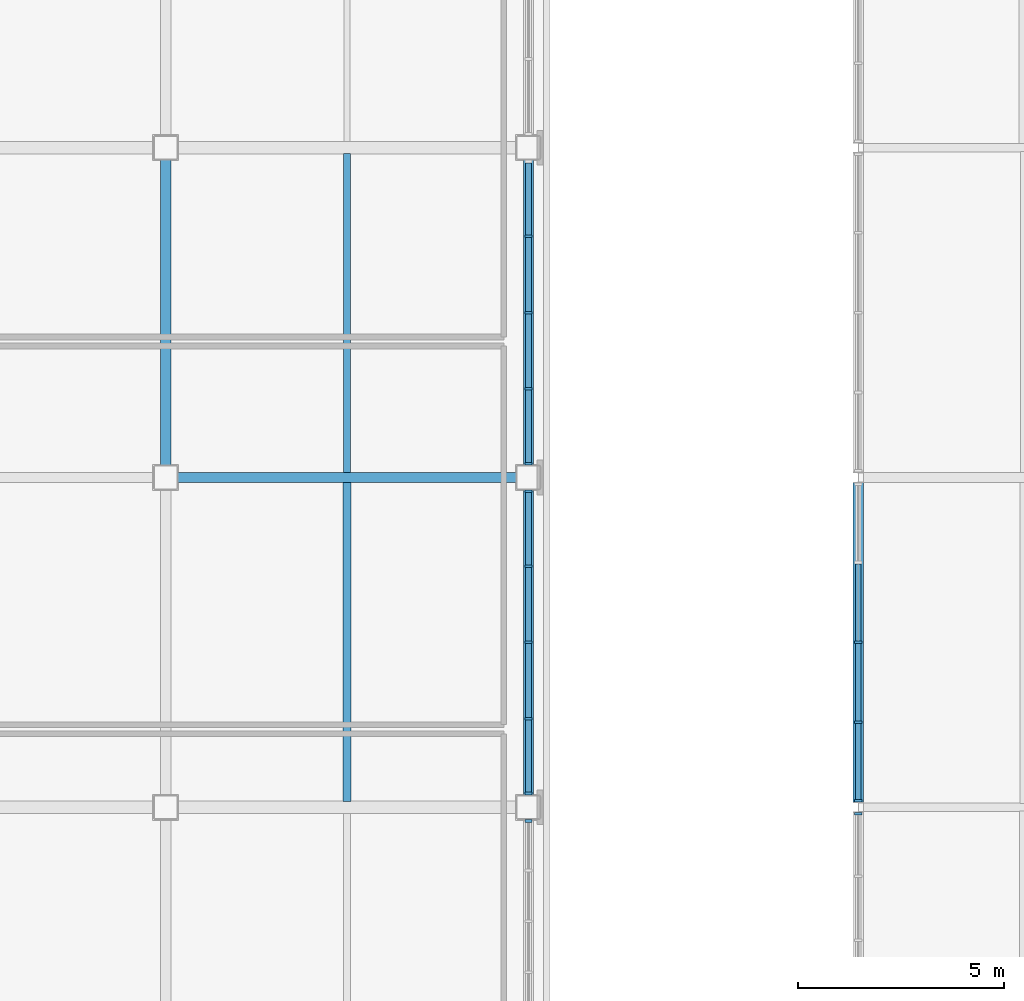
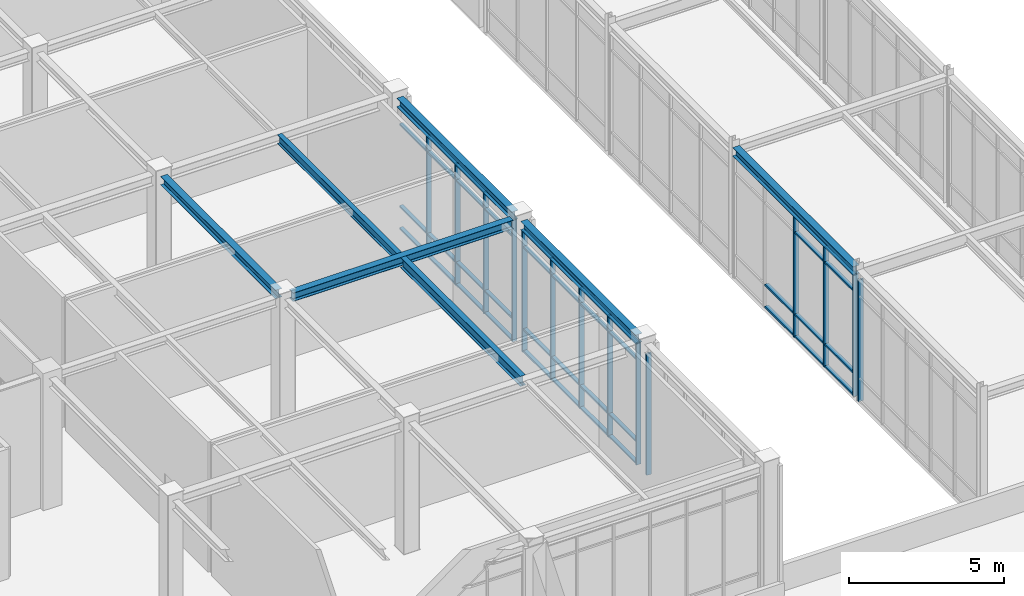
# One storey, part 30 of 108: 56 members, 7 beams, 5 elements without a shape of their own.
"""IFC4 building model written with IfcOpenShell, lengths in metres."""

from ifc_helpers import new_model, si_unit, direction, frame, origin, origin_2d, place, context, subcontext, project, spatial, rectangle, i_section, extrude, material, material_profile, profile_set, type_object, element, aggregate, save


model = new_model("IFC4")

# Units and contexts
model_context = context("Model", 3, precision=1e-05, world=origin(), true_north=direction((0.0, 1.0)))
body_context = subcontext(model_context, "Body", "Model", "MODEL_VIEW")
ifc_project = project(units=[si_unit("LENGTHUNIT", "METRE"), si_unit("AREAUNIT", "SQUARE_METRE"), si_unit("VOLUMEUNIT", "CUBIC_METRE"), si_unit("PLANEANGLEUNIT", "RADIAN"), si_unit("MASSUNIT", "GRAM", prefix="KILO")], contexts=[model_context])

# Site, building, storey
site_placement = place(None, origin())
site = spatial("IfcSite", under=ifc_project, at=site_placement, CompositionType="ELEMENT")
building_placement = place(site_placement, origin())
building = spatial("IfcBuilding", under=site, at=building_placement, Name="Zhaolan Boulevard Law Courts", CompositionType="ELEMENT")
storey_placement = place(building_placement, frame((0.0, 0.0, 10.800048828125)))
storey = spatial("IfcBuildingStorey", under=building, at=storey_placement, Name="L02", CompositionType="ELEMENT", Elevation=10.800048828125)

# Curtain wall, member
ifc_material_1 = material(Name="Thermally broken aluminium and low-E glazing", Category="aluminium")
curtain_wall_type_1 = type_object("IfcCurtainWallType", Name="CURTAIN WALL M20", PredefinedType="USERDEFINED", material=ifc_material_1)
curtain_wall_1_placement = place(storey_placement, origin())
curtain_wall_1 = element("IfcCurtainWall", 1, at=curtain_wall_1_placement, inside=storey, type_object=curtain_wall_type_1, Name="Curtain Wall CW-L02-092", ObjectType="CURTAIN WALL", PredefinedType="USERDEFINED")
ifc_material_2 = material(Name="Fluorocarbon-coated aluminium 6063-T6", Category="aluminium")
ifc_material_profile_1 = material_profile(ifc_material_2, rectangle(XDim=0.179931640625, YDim=0.06494140625, at=origin_2d()), Name="AL65x180")
ifc_profile_set_1 = profile_set([ifc_material_profile_1], Name="Fluorocarbon-coated aluminium 6063-T6")
member_type_1 = type_object("IfcMemberType", Name="CWMULLION 65X180", PredefinedType="MULLION", material=ifc_profile_set_1)
member_1_placement = place(storey_placement, frame((52.0, 37.840576171875, 0.0), z_axis=(0.0, 0.0, 1.0), x_axis=(1.0, 0.0, 0.0)))
member_1 = element("IfcMember", 2, at=member_1_placement, type_object=member_type_1, Name="CW-L02-092 mullion 1", PredefinedType="MULLION", context=body_context, shape_type="SweptSolid", body=[
    extrude(rectangle(XDim=0.179931640625, YDim=0.06494140625, at=origin_2d()), origin(), (0.0, 0.0, 1.0), 4.782958984375),
])
aggregate(curtain_wall_1, [member_1])

# Curtain wall, members
ifc_material_3 = material(Name="Thermally broken aluminium and low-E glazing", Category="aluminium")
curtain_wall_type_2 = type_object("IfcCurtainWallType", Name="CURTAIN WALL M21", PredefinedType="USERDEFINED", material=ifc_material_3)
curtain_wall_2_placement = place(storey_placement, origin())
curtain_wall_2 = element("IfcCurtainWall", 3, at=curtain_wall_2_placement, inside=storey, type_object=curtain_wall_type_2, Name="Curtain Wall CW-L02-093", ObjectType="CURTAIN WALL", PredefinedType="USERDEFINED")
member_2_placement = place(storey_placement, frame((52.0, 42.0, 0.0), z_axis=(0.0, 0.0, 1.0), x_axis=(1.0, 0.0, 0.0)))
member_2 = element("IfcMember", 4, at=member_2_placement, type_object=member_type_1, Name="CW-L02-093 mullion 3", PredefinedType="MULLION", context=body_context, shape_type="SweptSolid", body=[
    extrude(rectangle(XDim=0.179931640625, YDim=0.06494140625, at=origin_2d()), origin(), (0.0, 0.0, 1.0), 4.782958984375),
])
member_3_placement = place(storey_placement, frame((52.0, 40.0634765625, 0.0), z_axis=(0.0, 0.0, 1.0), x_axis=(1.0, 0.0, 0.0)))
member_3 = element("IfcMember", 5, at=member_3_placement, type_object=member_type_1, Name="CW-L02-093 mullion 4", PredefinedType="MULLION", context=body_context, shape_type="SweptSolid", body=[
    extrude(rectangle(XDim=0.179931640625, YDim=0.06494140625, at=origin_2d()), origin(), (0.0, 0.0, 1.0), 4.782958984375),
])
member_4_placement = place(storey_placement, frame((52.0, 38.159423828125, 0.0), z_axis=(0.0, 0.0, 1.0), x_axis=(1.0, 0.0, 0.0)))
member_4 = element("IfcMember", 6, at=member_4_placement, type_object=member_type_1, Name="CW-L02-093 mullion 5", PredefinedType="MULLION", context=body_context, shape_type="SweptSolid", body=[
    extrude(rectangle(XDim=0.179931640625, YDim=0.06494140625, at=origin_2d()), origin(), (0.0, 0.0, 1.0), 4.782958984375),
])

# Curtain wall, member
ifc_material_4 = material(Name="Thermally broken aluminium and low-E glazing", Category="aluminium")
curtain_wall_type_3 = type_object("IfcCurtainWallType", Name="CURTAIN WALL M18", PredefinedType="USERDEFINED", material=ifc_material_4)
curtain_wall_3_placement = place(storey_placement, origin())
curtain_wall_3 = element("IfcCurtainWall", 7, at=curtain_wall_3_placement, inside=storey, type_object=curtain_wall_type_3, Name="Curtain Wall CW-L02-162", ObjectType="CURTAIN WALL", PredefinedType="USERDEFINED")
member_5_placement = place(storey_placement, frame((44.0, 37.66552734375, 0.0), z_axis=(0.0, 0.0, 1.0), x_axis=(-1.0, 0.0, 0.0)))
member_5 = element("IfcMember", 8, at=member_5_placement, type_object=member_type_1, Name="CW-L02-162 mullion 7", PredefinedType="MULLION", context=body_context, shape_type="SweptSolid", body=[
    extrude(rectangle(XDim=0.179931640625, YDim=0.06494140625, at=origin_2d()), origin(), (0.0, 0.0, 1.0), 4.782958984375),
])
aggregate(curtain_wall_3, [member_5])

# Curtain wall, members
ifc_material_5 = material(Name="Thermally broken aluminium and low-E glazing", Category="aluminium")
curtain_wall_type_4 = type_object("IfcCurtainWallType", Name="CURTAIN WALL M19", PredefinedType="USERDEFINED", material=ifc_material_5)
curtain_wall_4_placement = place(storey_placement, origin())
curtain_wall_4 = element("IfcCurtainWall", 9, at=curtain_wall_4_placement, inside=storey, type_object=curtain_wall_type_4, Name="Curtain Wall CW-L02-163", ObjectType="CURTAIN WALL", PredefinedType="USERDEFINED")
member_6_placement = place(storey_placement, frame((44.0, 38.33447265625, 0.0), z_axis=(0.0, 0.0, 1.0), x_axis=(-1.0, 0.0, 0.0)))
member_6 = element("IfcMember", 10, at=member_6_placement, type_object=member_type_1, Name="CW-L02-163 mullion 1", PredefinedType="MULLION", context=body_context, shape_type="SweptSolid", body=[
    extrude(rectangle(XDim=0.179931640625, YDim=0.06494140625, at=origin_2d()), origin(), (0.0, 0.0, 1.0), 4.782958984375),
])
member_7_placement = place(storey_placement, frame((44.0, 40.15087890625, 0.0), z_axis=(0.0, 0.0, 1.0), x_axis=(-1.0, 0.0, 0.0)))
member_7 = element("IfcMember", 11, at=member_7_placement, type_object=member_type_1, Name="CW-L02-163 mullion 2", PredefinedType="MULLION", context=body_context, shape_type="SweptSolid", body=[
    extrude(rectangle(XDim=0.179931640625, YDim=0.06494140625, at=origin_2d()), origin(), (0.0, 0.0, 1.0), 4.782958984375),
])
member_8_placement = place(storey_placement, frame((44.0, 42.0, 0.0), z_axis=(0.0, 0.0, 1.0), x_axis=(-1.0, 0.0, 0.0)))
member_8 = element("IfcMember", 12, at=member_8_placement, type_object=member_type_1, Name="CW-L02-163 mullion 3", PredefinedType="MULLION", context=body_context, shape_type="SweptSolid", body=[
    extrude(rectangle(XDim=0.179931640625, YDim=0.06494140625, at=origin_2d()), origin(), (0.0, 0.0, 1.0), 4.782958984375),
])
member_9_placement = place(storey_placement, frame((44.0, 43.84912109375, 0.0), z_axis=(0.0, 0.0, 1.0), x_axis=(-1.0, 0.0, 0.0)))
member_9 = element("IfcMember", 13, at=member_9_placement, type_object=member_type_1, Name="CW-L02-163 mullion 4", PredefinedType="MULLION", context=body_context, shape_type="SweptSolid", body=[
    extrude(rectangle(XDim=0.179931640625, YDim=0.06494140625, at=origin_2d()), origin(), (0.0, 0.0, 1.0), 4.782958984375),
])
member_10_placement = place(storey_placement, frame((44.0, 45.66552734375, 0.0), z_axis=(0.0, 0.0, 1.0), x_axis=(-1.0, 0.0, 0.0)))
member_10 = element("IfcMember", 14, at=member_10_placement, type_object=member_type_1, Name="CW-L02-163 mullion 5", PredefinedType="MULLION", context=body_context, shape_type="SweptSolid", body=[
    extrude(rectangle(XDim=0.179931640625, YDim=0.06494140625, at=origin_2d()), origin(), (0.0, 0.0, 1.0), 4.782958984375),
])

curtain_wall_5_placement = place(storey_placement, origin())
curtain_wall_5 = element("IfcCurtainWall", 15, at=curtain_wall_5_placement, inside=storey, type_object=curtain_wall_type_1, Name="Curtain Wall CW-L02-164", ObjectType="CURTAIN WALL", PredefinedType="USERDEFINED")
member_11_placement = place(storey_placement, frame((44.0, 46.33447265625, 0.0), z_axis=(0.0, 0.0, 1.0), x_axis=(-1.0, 0.0, 0.0)))
member_11 = element("IfcMember", 16, at=member_11_placement, type_object=member_type_1, Name="CW-L02-164 mullion 1", PredefinedType="MULLION", context=body_context, shape_type="SweptSolid", body=[
    extrude(rectangle(XDim=0.179931640625, YDim=0.06494140625, at=origin_2d()), origin(), (0.0, 0.0, 1.0), 4.782958984375),
])
member_12_placement = place(storey_placement, frame((44.0, 48.15087890625, 0.0), z_axis=(0.0, 0.0, 1.0), x_axis=(-1.0, 0.0, 0.0)))
member_12 = element("IfcMember", 17, at=member_12_placement, type_object=member_type_1, Name="CW-L02-164 mullion 2", PredefinedType="MULLION", context=body_context, shape_type="SweptSolid", body=[
    extrude(rectangle(XDim=0.179931640625, YDim=0.06494140625, at=origin_2d()), origin(), (0.0, 0.0, 1.0), 4.782958984375),
])
member_13_placement = place(storey_placement, frame((44.0, 50.0, 0.0), z_axis=(0.0, 0.0, 1.0), x_axis=(-1.0, 0.0, 0.0)))
member_13 = element("IfcMember", 18, at=member_13_placement, type_object=member_type_1, Name="CW-L02-164 mullion 3", PredefinedType="MULLION", context=body_context, shape_type="SweptSolid", body=[
    extrude(rectangle(XDim=0.179931640625, YDim=0.06494140625, at=origin_2d()), origin(), (0.0, 0.0, 1.0), 4.782958984375),
])
member_14_placement = place(storey_placement, frame((44.0, 51.84912109375, 0.0), z_axis=(0.0, 0.0, 1.0), x_axis=(-1.0, 0.0, 0.0)))
member_14 = element("IfcMember", 19, at=member_14_placement, type_object=member_type_1, Name="CW-L02-164 mullion 4", PredefinedType="MULLION", context=body_context, shape_type="SweptSolid", body=[
    extrude(rectangle(XDim=0.179931640625, YDim=0.06494140625, at=origin_2d()), origin(), (0.0, 0.0, 1.0), 4.782958984375),
])

# Member
ifc_material_6 = material(Name="Fluorocarbon-coated aluminium 6063-T6", Category="aluminium")
ifc_material_profile_2 = material_profile(ifc_material_6, rectangle(XDim=0.139892578125, YDim=0.06494140625, at=origin_2d()), Name="AL65x140")
ifc_profile_set_2 = profile_set([ifc_material_profile_2], Name="Fluorocarbon-coated aluminium 6063-T6")
member_type_2 = type_object("IfcMemberType", Name="CWTRANSOM 65X140", PredefinedType="USERDEFINED", material=ifc_profile_set_2)
member_15_placement = place(storey_placement, frame((52.0, 43.904052734375, 0.032470703125), z_axis=(0.0, -1.0, 0.0), x_axis=(1.0, 0.0, 0.0)))
member_15 = element("IfcMember", 20, at=member_15_placement, type_object=member_type_2, Name="CW-L02-093 transom 2.1", ObjectType="TRANSOM", PredefinedType="USERDEFINED", context=body_context, shape_type="SweptSolid", body=[
    extrude(rectangle(XDim=0.139892578125, YDim=0.06494140625, at=origin_2d()), origin(), (0.0, 0.0, 1.0), 1.87158203125),
])

member_16_placement = place(storey_placement, frame((52.0, 43.904052734375, 0.89990234375), z_axis=(0.0, -1.0, 0.0), x_axis=(1.0, 0.0, 0.0)))
member_16 = element("IfcMember", 21, at=member_16_placement, type_object=member_type_2, Name="CW-L02-093 transom 2.2", ObjectType="TRANSOM", PredefinedType="USERDEFINED", context=body_context, shape_type="SweptSolid", body=[
    extrude(rectangle(XDim=0.139892578125, YDim=0.06494140625, at=origin_2d()), origin(), (0.0, 0.0, 1.0), 1.87158203125),
])

member_17_placement = place(storey_placement, frame((52.0, 41.967529296875, 0.032470703125), z_axis=(0.0, -1.0, 0.0), x_axis=(1.0, 0.0, 0.0)))
member_17 = element("IfcMember", 22, at=member_17_placement, type_object=member_type_2, Name="CW-L02-093 transom 3.1", ObjectType="TRANSOM", PredefinedType="USERDEFINED", context=body_context, shape_type="SweptSolid", body=[
    extrude(rectangle(XDim=0.139892578125, YDim=0.06494140625, at=origin_2d()), origin(), (0.0, 0.0, 1.0), 1.87158203125),
])

member_18_placement = place(storey_placement, frame((52.0, 41.967529296875, 0.89990234375), z_axis=(0.0, -1.0, 0.0), x_axis=(1.0, 0.0, 0.0)))
member_18 = element("IfcMember", 23, at=member_18_placement, type_object=member_type_2, Name="CW-L02-093 transom 3.2", ObjectType="TRANSOM", PredefinedType="USERDEFINED", context=body_context, shape_type="SweptSolid", body=[
    extrude(rectangle(XDim=0.139892578125, YDim=0.06494140625, at=origin_2d()), origin(), (0.0, 0.0, 1.0), 1.87158203125),
])

member_19_placement = place(storey_placement, frame((52.0, 41.967529296875, 4.133056640625), z_axis=(0.0, -1.0, 0.0), x_axis=(1.0, 0.0, 0.0)))
member_19 = element("IfcMember", 24, at=member_19_placement, type_object=member_type_2, Name="CW-L02-093 transom 3.3", ObjectType="TRANSOM", PredefinedType="USERDEFINED", context=body_context, shape_type="SweptSolid", body=[
    extrude(rectangle(XDim=0.139892578125, YDim=0.06494140625, at=origin_2d()), origin(), (0.0, 0.0, 1.0), 1.87158203125),
])

member_20_placement = place(storey_placement, frame((52.0, 41.967529296875, 4.75048828125), z_axis=(0.0, -1.0, 0.0), x_axis=(1.0, 0.0, 0.0)))
member_20 = element("IfcMember", 25, at=member_20_placement, type_object=member_type_2, Name="CW-L02-093 transom 3.4", ObjectType="TRANSOM", PredefinedType="USERDEFINED", context=body_context, shape_type="SweptSolid", body=[
    extrude(rectangle(XDim=0.139892578125, YDim=0.06494140625, at=origin_2d()), origin(), (0.0, 0.0, 1.0), 1.87158203125),
])

member_21_placement = place(storey_placement, frame((52.0, 40.031005859375, 0.032470703125), z_axis=(0.0, -1.0, 0.0), x_axis=(1.0, 0.0, 0.0)))
member_21 = element("IfcMember", 26, at=member_21_placement, type_object=member_type_2, Name="CW-L02-093 transom 4.1", ObjectType="TRANSOM", PredefinedType="USERDEFINED", context=body_context, shape_type="SweptSolid", body=[
    extrude(rectangle(XDim=0.139892578125, YDim=0.06494140625, at=origin_2d()), origin(), (0.0, 0.0, 1.0), 1.839111328125),
])

member_22_placement = place(storey_placement, frame((52.0, 40.031005859375, 0.89990234375), z_axis=(0.0, -1.0, 0.0), x_axis=(1.0, 0.0, 0.0)))
member_22 = element("IfcMember", 27, at=member_22_placement, type_object=member_type_2, Name="CW-L02-093 transom 4.2", ObjectType="TRANSOM", PredefinedType="USERDEFINED", context=body_context, shape_type="SweptSolid", body=[
    extrude(rectangle(XDim=0.139892578125, YDim=0.06494140625, at=origin_2d()), origin(), (0.0, 0.0, 1.0), 1.839111328125),
])

member_23_placement = place(storey_placement, frame((52.0, 40.031005859375, 4.133056640625), z_axis=(0.0, -1.0, 0.0), x_axis=(1.0, 0.0, 0.0)))
member_23 = element("IfcMember", 28, at=member_23_placement, type_object=member_type_2, Name="CW-L02-093 transom 4.3", ObjectType="TRANSOM", PredefinedType="USERDEFINED", context=body_context, shape_type="SweptSolid", body=[
    extrude(rectangle(XDim=0.139892578125, YDim=0.06494140625, at=origin_2d()), origin(), (0.0, 0.0, 1.0), 1.839111328125),
])

member_24_placement = place(storey_placement, frame((52.0, 40.031005859375, 4.75048828125), z_axis=(0.0, -1.0, 0.0), x_axis=(1.0, 0.0, 0.0)))
member_24 = element("IfcMember", 29, at=member_24_placement, type_object=member_type_2, Name="CW-L02-093 transom 4.4", ObjectType="TRANSOM", PredefinedType="USERDEFINED", context=body_context, shape_type="SweptSolid", body=[
    extrude(rectangle(XDim=0.139892578125, YDim=0.06494140625, at=origin_2d()), origin(), (0.0, 0.0, 1.0), 1.839111328125),
])

aggregate(curtain_wall_2, [member_2, member_3, member_4, member_15, member_16, member_17, member_18, member_19, member_20, member_21, member_22, member_23, member_24])

member_25_placement = place(storey_placement, frame((44.0, 38.366943359375, 0.032470703125), z_axis=(0.0, 1.0, 0.0), x_axis=(-1.0, 0.0, 0.0)))
member_25 = element("IfcMember", 30, at=member_25_placement, type_object=member_type_2, Name="CW-L02-163 transom 1.1", ObjectType="TRANSOM", PredefinedType="USERDEFINED", context=body_context, shape_type="SweptSolid", body=[
    extrude(rectangle(XDim=0.139892578125, YDim=0.06494140625, at=origin_2d()), origin(), (0.0, 0.0, 1.0), 1.75146484375),
])

member_26_placement = place(storey_placement, frame((44.0, 38.366943359375, 0.89990234375), z_axis=(0.0, 1.0, 0.0), x_axis=(-1.0, 0.0, 0.0)))
member_26 = element("IfcMember", 31, at=member_26_placement, type_object=member_type_2, Name="CW-L02-163 transom 1.2", ObjectType="TRANSOM", PredefinedType="USERDEFINED", context=body_context, shape_type="SweptSolid", body=[
    extrude(rectangle(XDim=0.139892578125, YDim=0.06494140625, at=origin_2d()), origin(), (0.0, 0.0, 1.0), 1.75146484375),
])

member_27_placement = place(storey_placement, frame((44.0, 38.366943359375, 4.133056640625), z_axis=(0.0, 1.0, 0.0), x_axis=(-1.0, 0.0, 0.0)))
member_27 = element("IfcMember", 32, at=member_27_placement, type_object=member_type_2, Name="CW-L02-163 transom 1.3", ObjectType="TRANSOM", PredefinedType="USERDEFINED", context=body_context, shape_type="SweptSolid", body=[
    extrude(rectangle(XDim=0.139892578125, YDim=0.06494140625, at=origin_2d()), origin(), (0.0, 0.0, 1.0), 1.75146484375),
])

member_28_placement = place(storey_placement, frame((44.0, 38.366943359375, 4.75048828125), z_axis=(0.0, 1.0, 0.0), x_axis=(-1.0, 0.0, 0.0)))
member_28 = element("IfcMember", 33, at=member_28_placement, type_object=member_type_2, Name="CW-L02-163 transom 1.4", ObjectType="TRANSOM", PredefinedType="USERDEFINED", context=body_context, shape_type="SweptSolid", body=[
    extrude(rectangle(XDim=0.139892578125, YDim=0.06494140625, at=origin_2d()), origin(), (0.0, 0.0, 1.0), 1.75146484375),
])

member_29_placement = place(storey_placement, frame((44.0, 40.18359375, 0.032470703125), z_axis=(0.0, 1.0, 0.0), x_axis=(-1.0, 0.0, 0.0)))
member_29 = element("IfcMember", 34, at=member_29_placement, type_object=member_type_2, Name="CW-L02-163 transom 2.1", ObjectType="TRANSOM", PredefinedType="USERDEFINED", context=body_context, shape_type="SweptSolid", body=[
    extrude(rectangle(XDim=0.139892578125, YDim=0.06494140625, at=origin_2d()), origin(), (0.0, 0.0, 1.0), 1.783935546875),
])

member_30_placement = place(storey_placement, frame((44.0, 40.18359375, 0.89990234375), z_axis=(0.0, 1.0, 0.0), x_axis=(-1.0, 0.0, 0.0)))
member_30 = element("IfcMember", 35, at=member_30_placement, type_object=member_type_2, Name="CW-L02-163 transom 2.2", ObjectType="TRANSOM", PredefinedType="USERDEFINED", context=body_context, shape_type="SweptSolid", body=[
    extrude(rectangle(XDim=0.139892578125, YDim=0.06494140625, at=origin_2d()), origin(), (0.0, 0.0, 1.0), 1.783935546875),
])

member_31_placement = place(storey_placement, frame((44.0, 40.18359375, 4.133056640625), z_axis=(0.0, 1.0, 0.0), x_axis=(-1.0, 0.0, 0.0)))
member_31 = element("IfcMember", 36, at=member_31_placement, type_object=member_type_2, Name="CW-L02-163 transom 2.3", ObjectType="TRANSOM", PredefinedType="USERDEFINED", context=body_context, shape_type="SweptSolid", body=[
    extrude(rectangle(XDim=0.139892578125, YDim=0.06494140625, at=origin_2d()), origin(), (0.0, 0.0, 1.0), 1.783935546875),
])

member_32_placement = place(storey_placement, frame((44.0, 40.18359375, 4.75048828125), z_axis=(0.0, 1.0, 0.0), x_axis=(-1.0, 0.0, 0.0)))
member_32 = element("IfcMember", 37, at=member_32_placement, type_object=member_type_2, Name="CW-L02-163 transom 2.4", ObjectType="TRANSOM", PredefinedType="USERDEFINED", context=body_context, shape_type="SweptSolid", body=[
    extrude(rectangle(XDim=0.139892578125, YDim=0.06494140625, at=origin_2d()), origin(), (0.0, 0.0, 1.0), 1.783935546875),
])

member_33_placement = place(storey_placement, frame((44.0, 42.032470703125, 0.032470703125), z_axis=(0.0, 1.0, 0.0), x_axis=(-1.0, 0.0, 0.0)))
member_33 = element("IfcMember", 38, at=member_33_placement, type_object=member_type_2, Name="CW-L02-163 transom 3.1", ObjectType="TRANSOM", PredefinedType="USERDEFINED", context=body_context, shape_type="SweptSolid", body=[
    extrude(rectangle(XDim=0.139892578125, YDim=0.06494140625, at=origin_2d()), origin(), (0.0, 0.0, 1.0), 1.783935546875),
])

member_34_placement = place(storey_placement, frame((44.0, 42.032470703125, 0.89990234375), z_axis=(0.0, 1.0, 0.0), x_axis=(-1.0, 0.0, 0.0)))
member_34 = element("IfcMember", 39, at=member_34_placement, type_object=member_type_2, Name="CW-L02-163 transom 3.2", ObjectType="TRANSOM", PredefinedType="USERDEFINED", context=body_context, shape_type="SweptSolid", body=[
    extrude(rectangle(XDim=0.139892578125, YDim=0.06494140625, at=origin_2d()), origin(), (0.0, 0.0, 1.0), 1.783935546875),
])

member_35_placement = place(storey_placement, frame((44.0, 42.032470703125, 4.133056640625), z_axis=(0.0, 1.0, 0.0), x_axis=(-1.0, 0.0, 0.0)))
member_35 = element("IfcMember", 40, at=member_35_placement, type_object=member_type_2, Name="CW-L02-163 transom 3.3", ObjectType="TRANSOM", PredefinedType="USERDEFINED", context=body_context, shape_type="SweptSolid", body=[
    extrude(rectangle(XDim=0.139892578125, YDim=0.06494140625, at=origin_2d()), origin(), (0.0, 0.0, 1.0), 1.783935546875),
])

member_36_placement = place(storey_placement, frame((44.0, 42.032470703125, 4.75048828125), z_axis=(0.0, 1.0, 0.0), x_axis=(-1.0, 0.0, 0.0)))
member_36 = element("IfcMember", 41, at=member_36_placement, type_object=member_type_2, Name="CW-L02-163 transom 3.4", ObjectType="TRANSOM", PredefinedType="USERDEFINED", context=body_context, shape_type="SweptSolid", body=[
    extrude(rectangle(XDim=0.139892578125, YDim=0.06494140625, at=origin_2d()), origin(), (0.0, 0.0, 1.0), 1.783935546875),
])

member_37_placement = place(storey_placement, frame((44.0, 43.881591796875, 0.032470703125), z_axis=(0.0, 1.0, 0.0), x_axis=(-1.0, 0.0, 0.0)))
member_37 = element("IfcMember", 42, at=member_37_placement, type_object=member_type_2, Name="CW-L02-163 transom 4.1", ObjectType="TRANSOM", PredefinedType="USERDEFINED", context=body_context, shape_type="SweptSolid", body=[
    extrude(rectangle(XDim=0.139892578125, YDim=0.06494140625, at=origin_2d()), origin(), (0.0, 0.0, 1.0), 1.75146484375),
])

member_38_placement = place(storey_placement, frame((44.0, 43.881591796875, 0.89990234375), z_axis=(0.0, 1.0, 0.0), x_axis=(-1.0, 0.0, 0.0)))
member_38 = element("IfcMember", 43, at=member_38_placement, type_object=member_type_2, Name="CW-L02-163 transom 4.2", ObjectType="TRANSOM", PredefinedType="USERDEFINED", context=body_context, shape_type="SweptSolid", body=[
    extrude(rectangle(XDim=0.139892578125, YDim=0.06494140625, at=origin_2d()), origin(), (0.0, 0.0, 1.0), 1.75146484375),
])

member_39_placement = place(storey_placement, frame((44.0, 43.881591796875, 4.133056640625), z_axis=(0.0, 1.0, 0.0), x_axis=(-1.0, 0.0, 0.0)))
member_39 = element("IfcMember", 44, at=member_39_placement, type_object=member_type_2, Name="CW-L02-163 transom 4.3", ObjectType="TRANSOM", PredefinedType="USERDEFINED", context=body_context, shape_type="SweptSolid", body=[
    extrude(rectangle(XDim=0.139892578125, YDim=0.06494140625, at=origin_2d()), origin(), (0.0, 0.0, 1.0), 1.75146484375),
])

member_40_placement = place(storey_placement, frame((44.0, 43.881591796875, 4.75048828125), z_axis=(0.0, 1.0, 0.0), x_axis=(-1.0, 0.0, 0.0)))
member_40 = element("IfcMember", 45, at=member_40_placement, type_object=member_type_2, Name="CW-L02-163 transom 4.4", ObjectType="TRANSOM", PredefinedType="USERDEFINED", context=body_context, shape_type="SweptSolid", body=[
    extrude(rectangle(XDim=0.139892578125, YDim=0.06494140625, at=origin_2d()), origin(), (0.0, 0.0, 1.0), 1.75146484375),
])

aggregate(curtain_wall_4, [member_6, member_7, member_8, member_9, member_10, member_25, member_26, member_27, member_28, member_29, member_30, member_31, member_32, member_33, member_34, member_35, member_36, member_37, member_38, member_39, member_40])

member_41_placement = place(storey_placement, frame((44.0, 46.366943359375, 0.032470703125), z_axis=(0.0, 1.0, 0.0), x_axis=(-1.0, 0.0, 0.0)))
member_41 = element("IfcMember", 46, at=member_41_placement, type_object=member_type_2, Name="CW-L02-164 transom 1.1", ObjectType="TRANSOM", PredefinedType="USERDEFINED", context=body_context, shape_type="SweptSolid", body=[
    extrude(rectangle(XDim=0.139892578125, YDim=0.06494140625, at=origin_2d()), origin(), (0.0, 0.0, 1.0), 1.75146484375),
])

member_42_placement = place(storey_placement, frame((44.0, 46.366943359375, 0.89990234375), z_axis=(0.0, 1.0, 0.0), x_axis=(-1.0, 0.0, 0.0)))
member_42 = element("IfcMember", 47, at=member_42_placement, type_object=member_type_2, Name="CW-L02-164 transom 1.2", ObjectType="TRANSOM", PredefinedType="USERDEFINED", context=body_context, shape_type="SweptSolid", body=[
    extrude(rectangle(XDim=0.139892578125, YDim=0.06494140625, at=origin_2d()), origin(), (0.0, 0.0, 1.0), 1.75146484375),
])

member_43_placement = place(storey_placement, frame((44.0, 46.366943359375, 4.133056640625), z_axis=(0.0, 1.0, 0.0), x_axis=(-1.0, 0.0, 0.0)))
member_43 = element("IfcMember", 48, at=member_43_placement, type_object=member_type_2, Name="CW-L02-164 transom 1.3", ObjectType="TRANSOM", PredefinedType="USERDEFINED", context=body_context, shape_type="SweptSolid", body=[
    extrude(rectangle(XDim=0.139892578125, YDim=0.06494140625, at=origin_2d()), origin(), (0.0, 0.0, 1.0), 1.75146484375),
])

member_44_placement = place(storey_placement, frame((44.0, 46.366943359375, 4.75048828125), z_axis=(0.0, 1.0, 0.0), x_axis=(-1.0, 0.0, 0.0)))
member_44 = element("IfcMember", 49, at=member_44_placement, type_object=member_type_2, Name="CW-L02-164 transom 1.4", ObjectType="TRANSOM", PredefinedType="USERDEFINED", context=body_context, shape_type="SweptSolid", body=[
    extrude(rectangle(XDim=0.139892578125, YDim=0.06494140625, at=origin_2d()), origin(), (0.0, 0.0, 1.0), 1.75146484375),
])

member_45_placement = place(storey_placement, frame((44.0, 48.18359375, 0.032470703125), z_axis=(0.0, 1.0, 0.0), x_axis=(-1.0, 0.0, 0.0)))
member_45 = element("IfcMember", 50, at=member_45_placement, type_object=member_type_2, Name="CW-L02-164 transom 2.1", ObjectType="TRANSOM", PredefinedType="USERDEFINED", context=body_context, shape_type="SweptSolid", body=[
    extrude(rectangle(XDim=0.139892578125, YDim=0.06494140625, at=origin_2d()), origin(), (0.0, 0.0, 1.0), 1.783935546875),
])

member_46_placement = place(storey_placement, frame((44.0, 48.18359375, 0.89990234375), z_axis=(0.0, 1.0, 0.0), x_axis=(-1.0, 0.0, 0.0)))
member_46 = element("IfcMember", 51, at=member_46_placement, type_object=member_type_2, Name="CW-L02-164 transom 2.2", ObjectType="TRANSOM", PredefinedType="USERDEFINED", context=body_context, shape_type="SweptSolid", body=[
    extrude(rectangle(XDim=0.139892578125, YDim=0.06494140625, at=origin_2d()), origin(), (0.0, 0.0, 1.0), 1.783935546875),
])

member_47_placement = place(storey_placement, frame((44.0, 48.18359375, 4.133056640625), z_axis=(0.0, 1.0, 0.0), x_axis=(-1.0, 0.0, 0.0)))
member_47 = element("IfcMember", 52, at=member_47_placement, type_object=member_type_2, Name="CW-L02-164 transom 2.3", ObjectType="TRANSOM", PredefinedType="USERDEFINED", context=body_context, shape_type="SweptSolid", body=[
    extrude(rectangle(XDim=0.139892578125, YDim=0.06494140625, at=origin_2d()), origin(), (0.0, 0.0, 1.0), 1.783935546875),
])

member_48_placement = place(storey_placement, frame((44.0, 48.18359375, 4.75048828125), z_axis=(0.0, 1.0, 0.0), x_axis=(-1.0, 0.0, 0.0)))
member_48 = element("IfcMember", 53, at=member_48_placement, type_object=member_type_2, Name="CW-L02-164 transom 2.4", ObjectType="TRANSOM", PredefinedType="USERDEFINED", context=body_context, shape_type="SweptSolid", body=[
    extrude(rectangle(XDim=0.139892578125, YDim=0.06494140625, at=origin_2d()), origin(), (0.0, 0.0, 1.0), 1.783935546875),
])

member_49_placement = place(storey_placement, frame((44.0, 50.032470703125, 0.032470703125), z_axis=(0.0, 1.0, 0.0), x_axis=(-1.0, 0.0, 0.0)))
member_49 = element("IfcMember", 54, at=member_49_placement, type_object=member_type_2, Name="CW-L02-164 transom 3.1", ObjectType="TRANSOM", PredefinedType="USERDEFINED", context=body_context, shape_type="SweptSolid", body=[
    extrude(rectangle(XDim=0.139892578125, YDim=0.06494140625, at=origin_2d()), origin(), (0.0, 0.0, 1.0), 1.783935546875),
])

member_50_placement = place(storey_placement, frame((44.0, 50.032470703125, 0.89990234375), z_axis=(0.0, 1.0, 0.0), x_axis=(-1.0, 0.0, 0.0)))
member_50 = element("IfcMember", 55, at=member_50_placement, type_object=member_type_2, Name="CW-L02-164 transom 3.2", ObjectType="TRANSOM", PredefinedType="USERDEFINED", context=body_context, shape_type="SweptSolid", body=[
    extrude(rectangle(XDim=0.139892578125, YDim=0.06494140625, at=origin_2d()), origin(), (0.0, 0.0, 1.0), 1.783935546875),
])

member_51_placement = place(storey_placement, frame((44.0, 50.032470703125, 4.133056640625), z_axis=(0.0, 1.0, 0.0), x_axis=(-1.0, 0.0, 0.0)))
member_51 = element("IfcMember", 56, at=member_51_placement, type_object=member_type_2, Name="CW-L02-164 transom 3.3", ObjectType="TRANSOM", PredefinedType="USERDEFINED", context=body_context, shape_type="SweptSolid", body=[
    extrude(rectangle(XDim=0.139892578125, YDim=0.06494140625, at=origin_2d()), origin(), (0.0, 0.0, 1.0), 1.783935546875),
])

member_52_placement = place(storey_placement, frame((44.0, 50.032470703125, 4.75048828125), z_axis=(0.0, 1.0, 0.0), x_axis=(-1.0, 0.0, 0.0)))
member_52 = element("IfcMember", 57, at=member_52_placement, type_object=member_type_2, Name="CW-L02-164 transom 3.4", ObjectType="TRANSOM", PredefinedType="USERDEFINED", context=body_context, shape_type="SweptSolid", body=[
    extrude(rectangle(XDim=0.139892578125, YDim=0.06494140625, at=origin_2d()), origin(), (0.0, 0.0, 1.0), 1.783935546875),
])

member_53_placement = place(storey_placement, frame((44.0, 51.881591796875, 0.032470703125), z_axis=(0.0, 1.0, 0.0), x_axis=(-1.0, 0.0, 0.0)))
member_53 = element("IfcMember", 58, at=member_53_placement, type_object=member_type_2, Name="CW-L02-164 transom 4.1", ObjectType="TRANSOM", PredefinedType="USERDEFINED", context=body_context, shape_type="SweptSolid", body=[
    extrude(rectangle(XDim=0.139892578125, YDim=0.06494140625, at=origin_2d()), origin(), (0.0, 0.0, 1.0), 1.75146484375),
])

member_54_placement = place(storey_placement, frame((44.0, 51.881591796875, 0.89990234375), z_axis=(0.0, 1.0, 0.0), x_axis=(-1.0, 0.0, 0.0)))
member_54 = element("IfcMember", 59, at=member_54_placement, type_object=member_type_2, Name="CW-L02-164 transom 4.2", ObjectType="TRANSOM", PredefinedType="USERDEFINED", context=body_context, shape_type="SweptSolid", body=[
    extrude(rectangle(XDim=0.139892578125, YDim=0.06494140625, at=origin_2d()), origin(), (0.0, 0.0, 1.0), 1.75146484375),
])

member_55_placement = place(storey_placement, frame((44.0, 51.881591796875, 4.133056640625), z_axis=(0.0, 1.0, 0.0), x_axis=(-1.0, 0.0, 0.0)))
member_55 = element("IfcMember", 60, at=member_55_placement, type_object=member_type_2, Name="CW-L02-164 transom 4.3", ObjectType="TRANSOM", PredefinedType="USERDEFINED", context=body_context, shape_type="SweptSolid", body=[
    extrude(rectangle(XDim=0.139892578125, YDim=0.06494140625, at=origin_2d()), origin(), (0.0, 0.0, 1.0), 1.75146484375),
])

member_56_placement = place(storey_placement, frame((44.0, 51.881591796875, 4.75048828125), z_axis=(0.0, 1.0, 0.0), x_axis=(-1.0, 0.0, 0.0)))
member_56 = element("IfcMember", 61, at=member_56_placement, type_object=member_type_2, Name="CW-L02-164 transom 4.4", ObjectType="TRANSOM", PredefinedType="USERDEFINED", context=body_context, shape_type="SweptSolid", body=[
    extrude(rectangle(XDim=0.139892578125, YDim=0.06494140625, at=origin_2d()), origin(), (0.0, 0.0, 1.0), 1.75146484375),
])

aggregate(curtain_wall_5, [member_11, member_12, member_13, member_14, member_41, member_42, member_43, member_44, member_45, member_46, member_47, member_48, member_49, member_50, member_51, member_52, member_53, member_54, member_55, member_56])

# Beams
ifc_material_7 = material(Name="Structural steel Q355B", Category="steel")
ifc_material_profile_3 = material_profile(ifc_material_7, i_section(OverallWidth=0.25, OverallDepth=0.340087890625, WebThickness=0.009033203125, FlangeThickness=0.013916015625, FilletRadius=0.01611328125, at=origin_2d()), Name="HM340x250")
ifc_profile_set_3 = profile_set([ifc_material_profile_3], Name="Structural steel Q355B")
beam_type_1 = type_object("IfcBeamType", Name="GIRDER HM340", PredefinedType="BEAM", material=ifc_profile_set_3)
for number, where, z_axis, x_axis, name in (
    (62, (35.199951171875, 46.2958984375, 4.968017578125), (0.0, 1.0, 0.0), (-1.0, 0.0, 0.0), "Beam BY-L03-5-G-H"),
    (63, (44.0, 38.2958984375, 4.968017578125), (0.0, 1.0, 0.0), (-1.0, 0.0, 0.0), "Beam BY-L03-6-F-G"),
    (64, (44.0, 46.2958984375, 4.968017578125), (0.0, 1.0, 0.0), (-1.0, 0.0, 0.0), "Beam BY-L03-6-G-H"),
):
    element("IfcBeam", number, at=place(storey_placement, frame(where, z_axis=z_axis, x_axis=x_axis)), inside=storey, type_object=beam_type_1, Name=name, PredefinedType="BEAM", context=body_context, shape_type="SweptSolid", body=[
        extrude(i_section(OverallWidth=0.25, OverallDepth=0.340087890625, WebThickness=0.009033203125, FlangeThickness=0.013916015625, FilletRadius=0.01611328125, at=origin_2d()), origin(), (0.0, 0.0, 1.0), 7.408203125),
    ])
beam_1_placement = place(storey_placement, frame((52.0, 38.12109375, 4.968017578125), z_axis=(0.0, 1.0, 0.0), x_axis=(-1.0, 0.0, 0.0)))
element("IfcBeam", 65, at=beam_1_placement, inside=storey, type_object=beam_type_1, Name="Beam BY-L03-7-F-G", PredefinedType="BEAM", context=body_context, shape_type="SweptSolid", body=[
    extrude(i_section(OverallWidth=0.25, OverallDepth=0.340087890625, WebThickness=0.009033203125, FlangeThickness=0.013916015625, FilletRadius=0.01611328125, at=origin_2d()), origin(), (0.0, 0.0, 1.0), 7.7578125),
])
ifc_material_8 = material(Name="Structural steel Q355B", Category="steel")
ifc_material_profile_4 = material_profile(ifc_material_8, i_section(OverallWidth=0.175048828125, OverallDepth=0.35009765625, WebThickness=0.007080078125, FlangeThickness=0.010986328125, FilletRadius=0.012939453125, at=origin_2d()), Name="HN350x175")
ifc_profile_set_4 = profile_set([ifc_material_profile_4], Name="Structural steel Q355B")
beam_type_2 = type_object("IfcBeamType", Name="JOIST HN350", PredefinedType="JOIST", material=ifc_profile_set_4)
beam_2_placement = place(storey_placement, frame((39.60009765625, 46.12109375, 4.962890625), z_axis=(0.0, 1.0, 0.0), x_axis=(-1.0, 0.0, 0.0)))
element("IfcBeam", 66, at=beam_2_placement, inside=storey, type_object=beam_type_2, Name="Composite Joist J-L03-5G", PredefinedType="JOIST", context=body_context, shape_type="SweptSolid", body=[
    extrude(i_section(OverallWidth=0.175048828125, OverallDepth=0.35009765625, WebThickness=0.007080078125, FlangeThickness=0.010986328125, FilletRadius=0.012939453125, at=origin_2d()), origin(), (0.0, 0.0, 1.0), 7.73291015625),
])
ifc_material_9 = material(Name="Structural steel Q355B", Category="steel")
ifc_material_profile_5 = material_profile(ifc_material_9, i_section(OverallWidth=0.199951171875, OverallDepth=0.39990234375, WebThickness=0.008056640625, FlangeThickness=0.012939453125, FilletRadius=0.013916015625, at=origin_2d()), Name="HN400x200")
ifc_profile_set_5 = profile_set([ifc_material_profile_5], Name="Structural steel Q355B")
beam_type_3 = type_object("IfcBeamType", Name="JOIST HN400", PredefinedType="JOIST", material=ifc_profile_set_5)
beam_3_placement = place(storey_placement, frame((39.60009765625, 38.14599609375, 4.93798828125), z_axis=(0.0, 1.0, 0.0), x_axis=(-1.0, 0.0, 0.0)))
element("IfcBeam", 67, at=beam_3_placement, inside=storey, type_object=beam_type_3, Name="Composite Joist J-L03-5F", PredefinedType="JOIST", context=body_context, shape_type="SweptSolid", body=[
    extrude(i_section(OverallWidth=0.199951171875, OverallDepth=0.39990234375, WebThickness=0.008056640625, FlangeThickness=0.012939453125, FilletRadius=0.013916015625, at=origin_2d()), origin(), (0.0, 0.0, 1.0), 7.73291015625),
])
ifc_material_10 = material(Name="Structural steel Q355B", Category="steel")
ifc_material_profile_6 = material_profile(ifc_material_10, i_section(OverallWidth=0.25, OverallDepth=0.340087890625, WebThickness=0.009033203125, FlangeThickness=0.013916015625, FilletRadius=0.01611328125, at=origin_2d()), Name="HM340x250")
ifc_profile_set_6 = profile_set([ifc_material_profile_6], Name="Structural steel Q355B")
beam_type_4 = type_object("IfcBeamType", Name="SPANDREL HM340", PredefinedType="SPANDREL", material=ifc_profile_set_6)
beam_4_placement = place(storey_placement, frame((35.49609375, 46.0, 4.968017578125), z_axis=(1.0, 0.0, 0.0), x_axis=(0.0, 1.0, 0.0)))
element("IfcBeam", 68, at=beam_4_placement, inside=storey, type_object=beam_type_4, Name="Beam BX-L03-5-6-G", PredefinedType="SPANDREL", context=body_context, shape_type="SweptSolid", body=[
    extrude(i_section(OverallWidth=0.25, OverallDepth=0.340087890625, WebThickness=0.009033203125, FlangeThickness=0.013916015625, FilletRadius=0.01611328125, at=origin_2d()), origin(), (0.0, 0.0, 1.0), 8.2080078125),
])

save(model, "model.ifc")
